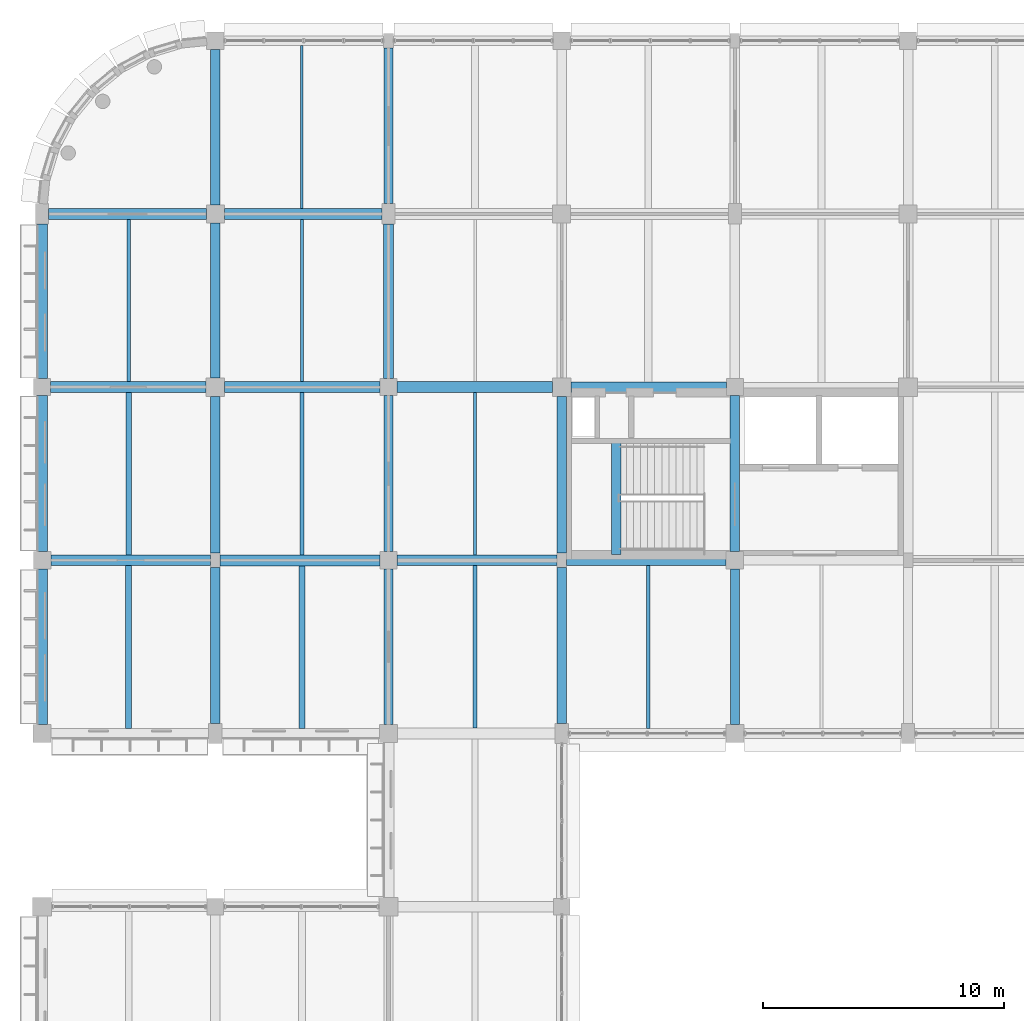
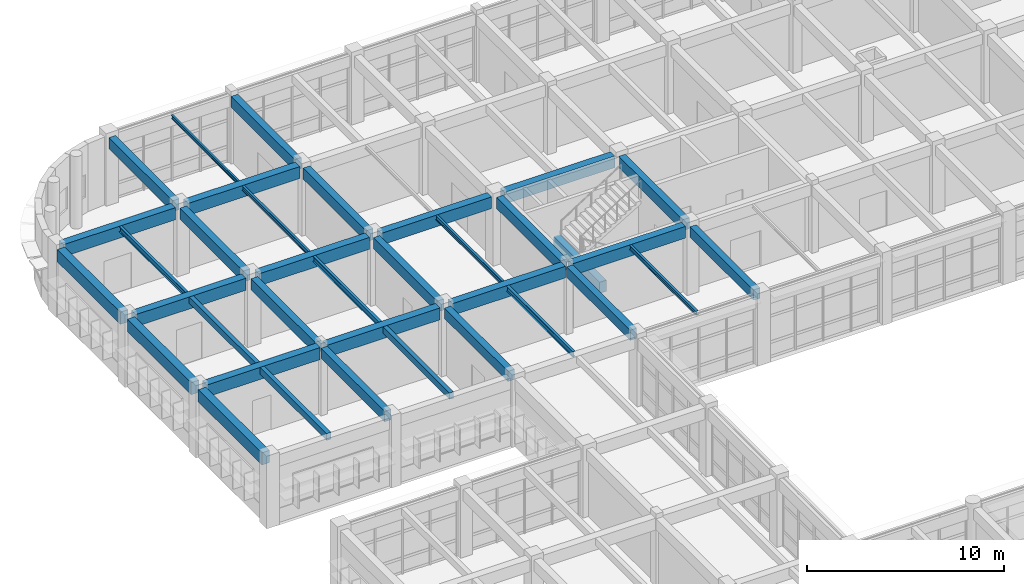
# One storey, part 63 of 171: 36 beams.
"""IFC4 building model written with IfcOpenShell, lengths in metres."""

from ifc_helpers import new_model, si_unit, direction, frame, origin, origin_2d, place, context, subcontext, project, spatial, rectangle, i_section, extrude, material, material_profile, profile_set, type_object, element, save


model = new_model("IFC4")

# Units and contexts
model_context = context("Model", 3, precision=1e-05, world=origin(), true_north=direction((0.0, 1.0)))
body_context = subcontext(model_context, "Body", "Model", "MODEL_VIEW")
ifc_project = project(units=[si_unit("LENGTHUNIT", "METRE"), si_unit("AREAUNIT", "SQUARE_METRE"), si_unit("VOLUMEUNIT", "CUBIC_METRE"), si_unit("PLANEANGLEUNIT", "RADIAN"), si_unit("MASSUNIT", "GRAM", prefix="KILO")], contexts=[model_context])

# Site, building, storey
site_placement = place(None, origin())
site = spatial("IfcSite", under=ifc_project, at=site_placement, CompositionType="ELEMENT")
building_placement = place(site_placement, origin())
building = spatial("IfcBuilding", under=site, at=building_placement, Name="Thalmaran Polytechnic", CompositionType="ELEMENT")
storey_placement = place(building_placement, frame((0.0, 0.0, 5.39990234375)))
storey = spatial("IfcBuildingStorey", under=building, at=storey_placement, Name="L01", CompositionType="ELEMENT", Elevation=5.39990234375)

# Beams
ifc_material_1 = material(Name="Concrete C40/50", Category="concrete")
ifc_material_profile_1 = material_profile(ifc_material_1, rectangle(XDim=0.449951171875, YDim=0.75, at=origin_2d()), Name="RC 450x750")
ifc_profile_set_1 = profile_set([ifc_material_profile_1], Name="Concrete C40/50")
beam_type_1 = type_object("IfcBeamType", Name="BM-RC03", PredefinedType="BEAM", material=ifc_profile_set_1)
beam_1_placement = place(storey_placement, frame((0.360107421875, 100.800048828125, 3.835205078125), z_axis=(1.0, 0.0, 0.0), x_axis=(0.0, 1.0, 0.0)))
element("IfcBeam", 1, at=beam_1_placement, inside=storey, type_object=beam_type_1, Name="Grid Beam B03 L01 X(0,14)", PredefinedType="BEAM", context=body_context, shape_type="SweptSolid", body=[
    extrude(rectangle(XDim=0.449951171875, YDim=0.75, at=origin_2d()), origin(), (0.0, 0.0, 1.0), 6.639892578125),
])
beam_2_placement = place(storey_placement, frame((0.35009765625, 108.0, 3.835205078125), z_axis=(1.0, 0.0, 0.0), x_axis=(0.0, 1.0, 0.0)))
element("IfcBeam", 2, at=beam_2_placement, inside=storey, type_object=beam_type_1, Name="Grid Beam B03 L01 X(0,15)", PredefinedType="BEAM", context=body_context, shape_type="SweptSolid", body=[
    extrude(rectangle(XDim=0.449951171875, YDim=0.75, at=origin_2d()), origin(), (0.0, 0.0, 1.0), 6.4599609375),
])
beam_3_placement = place(storey_placement, frame((0.27490234375, 115.199951171875, 3.835205078125), z_axis=(1.0, 0.0, 0.0), x_axis=(0.0, 1.0, 0.0)))
element("IfcBeam", 3, at=beam_3_placement, inside=storey, type_object=beam_type_1, Name="Grid Beam B03 L01 X(0,16)", PredefinedType="BEAM", context=body_context, shape_type="SweptSolid", body=[
    extrude(rectangle(XDim=0.449951171875, YDim=0.75, at=origin_2d()), origin(), (0.0, 0.0, 1.0), 6.550048828125),
])
ifc_material_profile_2 = material_profile(ifc_material_1, rectangle(XDim=0.449951171875, YDim=0.72509765625, at=origin_2d()), Name="RC 450x725")
ifc_profile_set_2 = profile_set([ifc_material_profile_2], Name="Concrete C40/50")
beam_type_2 = type_object("IfcBeamType", Name="BM-RC04", PredefinedType="BEAM", material=ifc_profile_set_2)
beam_4_placement = place(storey_placement, frame((14.760009765625, 100.800048828125, 3.84765625), z_axis=(1.0, 0.0, 0.0), x_axis=(0.0, 1.0, 0.0)))
element("IfcBeam", 4, at=beam_4_placement, inside=storey, type_object=beam_type_2, Name="Grid Beam B04 L01 X(2,14)", PredefinedType="BEAM", context=body_context, shape_type="SweptSolid", body=[
    extrude(rectangle(XDim=0.449951171875, YDim=0.72509765625, at=origin_2d()), origin(), (0.0, 0.0, 1.0), 6.639892578125),
])
beam_5_placement = place(storey_placement, frame((14.75, 108.0, 3.84765625), z_axis=(1.0, 0.0, 0.0), x_axis=(0.0, 1.0, 0.0)))
element("IfcBeam", 5, at=beam_5_placement, inside=storey, type_object=beam_type_2, Name="Grid Beam B04 L01 X(2,15)", PredefinedType="BEAM", context=body_context, shape_type="SweptSolid", body=[
    extrude(rectangle(XDim=0.449951171875, YDim=0.72509765625, at=origin_2d()), origin(), (0.0, 0.0, 1.0), 6.4599609375),
])
ifc_material_profile_3 = material_profile(ifc_material_1, rectangle(XDim=0.389892578125, YDim=0.68505859375, at=origin_2d()), Name="RC 390x685")
ifc_profile_set_3 = profile_set([ifc_material_profile_3], Name="Concrete C40/50")
beam_type_3 = type_object("IfcBeamType", Name="BM-RC08", PredefinedType="BEAM", material=ifc_profile_set_3)
beam_6_placement = place(storey_placement, frame((7.199951171875, 101.10009765625, 3.86767578125), z_axis=(0.0, 1.0, 0.0), x_axis=(-1.0, 0.0, 0.0)))
element("IfcBeam", 6, at=beam_6_placement, inside=storey, type_object=beam_type_3, Name="Grid Beam B08 L01 Y(1,14)", PredefinedType="BEAM", context=body_context, shape_type="SweptSolid", body=[
    extrude(rectangle(XDim=0.389892578125, YDim=0.68505859375, at=origin_2d()), origin(), (0.0, 0.0, 1.0), 6.510009765625),
])
beam_7_placement = place(storey_placement, frame((14.39990234375, 101.159912109375, 3.86767578125), z_axis=(0.0, 1.0, 0.0), x_axis=(-1.0, 0.0, 0.0)))
element("IfcBeam", 7, at=beam_7_placement, inside=storey, type_object=beam_type_3, Name="Grid Beam B08 L01 Y(2,14)", PredefinedType="BEAM", context=body_context, shape_type="SweptSolid", body=[
    extrude(rectangle(XDim=0.389892578125, YDim=0.68505859375, at=origin_2d()), origin(), (0.0, 0.0, 1.0), 6.489990234375),
])
beam_8_placement = place(storey_placement, frame((21.60009765625, 101.10009765625, 3.86767578125), z_axis=(0.0, 1.0, 0.0), x_axis=(-1.0, 0.0, 0.0)))
element("IfcBeam", 8, at=beam_8_placement, inside=storey, type_object=beam_type_3, Name="Grid Beam B08 L01 Y(3,14)", PredefinedType="BEAM", context=body_context, shape_type="SweptSolid", body=[
    extrude(rectangle(XDim=0.389892578125, YDim=0.68505859375, at=origin_2d()), origin(), (0.0, 0.0, 1.0), 6.510009765625),
])
beam_9_placement = place(storey_placement, frame((28.800048828125, 101.159912109375, 3.86767578125), z_axis=(0.0, 1.0, 0.0), x_axis=(-1.0, 0.0, 0.0)))
element("IfcBeam", 9, at=beam_9_placement, inside=storey, type_object=beam_type_3, Name="Grid Beam B08 L01 Y(4,14)", PredefinedType="BEAM", context=body_context, shape_type="SweptSolid", body=[
    extrude(rectangle(XDim=0.389892578125, YDim=0.68505859375, at=origin_2d()), origin(), (0.0, 0.0, 1.0), 6.489990234375),
])
ifc_material_profile_4 = material_profile(ifc_material_1, rectangle(XDim=0.389892578125, YDim=0.68994140625, at=origin_2d()), Name="RC 390x690")
ifc_profile_set_4 = profile_set([ifc_material_profile_4], Name="Concrete C40/50")
beam_type_4 = type_object("IfcBeamType", Name="BM-RC09", PredefinedType="BEAM", material=ifc_profile_set_4)
beam_10_placement = place(storey_placement, frame((7.199951171875, 115.574951171875, 3.864990234375), z_axis=(0.0, 1.0, 0.0), x_axis=(-1.0, 0.0, 0.0)))
element("IfcBeam", 10, at=beam_10_placement, inside=storey, type_object=beam_type_4, Name="Grid Beam B09 L01 Y(1,16)", PredefinedType="BEAM", context=body_context, shape_type="SweptSolid", body=[
    extrude(rectangle(XDim=0.389892578125, YDim=0.68994140625, at=origin_2d()), origin(), (0.0, 0.0, 1.0), 6.465087890625),
])
beam_11_placement = place(storey_placement, frame((14.39990234375, 115.625, 3.864990234375), z_axis=(0.0, 1.0, 0.0), x_axis=(-1.0, 0.0, 0.0)))
element("IfcBeam", 11, at=beam_11_placement, inside=storey, type_object=beam_type_4, Name="Grid Beam B09 L01 Y(2,16)", PredefinedType="BEAM", context=body_context, shape_type="SweptSolid", body=[
    extrude(rectangle(XDim=0.389892578125, YDim=0.68994140625, at=origin_2d()), origin(), (0.0, 0.0, 1.0), 6.47509765625),
])
ifc_material_profile_5 = material_profile(ifc_material_1, rectangle(XDim=0.389892578125, YDim=0.695068359375, at=origin_2d()), Name="RC 390x695")
ifc_profile_set_5 = profile_set([ifc_material_profile_5], Name="Concrete C40/50")
beam_type_5 = type_object("IfcBeamType", Name="BM-RC10", PredefinedType="BEAM", material=ifc_profile_set_5)
beam_12_placement = place(storey_placement, frame((23.860107421875, 101.0400390625, 1.7900390625), z_axis=(0.0, 1.0, 0.0), x_axis=(-1.0, 0.0, 0.0)))
element("IfcBeam", 12, at=beam_12_placement, inside=storey, type_object=beam_type_5, Name="ST2 L01 Half-Landing Trimmer Beam", PredefinedType="BEAM", context=body_context, shape_type="SweptSolid", body=[
    extrude(rectangle(XDim=0.389892578125, YDim=0.695068359375, at=origin_2d()), origin(), (0.0, 0.0, 1.0), 4.699951171875),
])
ifc_material_2 = material(Name="Steel S355", Category="steel")
ifc_material_profile_6 = material_profile(ifc_material_2, i_section(OverallWidth=0.159912109375, OverallDepth=0.330078125, WebThickness=0.007568359375, FlangeThickness=0.011474609375, at=origin_2d()), Name="IPE 330")
ifc_profile_set_6 = profile_set([ifc_material_profile_6], Name="Steel S355")
beam_type_6 = type_object("IfcBeamType", Name="BM-SJ02", PredefinedType="JOIST", material=ifc_profile_set_6)
beam_13_placement = place(storey_placement, frame((3.60009765625, 108.22509765625, 4.045166015625), z_axis=(0.0, 1.0, 0.0), x_axis=(-1.0, 0.0, 0.0)))
element("IfcBeam", 13, at=beam_13_placement, inside=storey, type_object=beam_type_6, Name="Secondary Floor Rib SJ02 L01 (0,15)", PredefinedType="JOIST", context=body_context, shape_type="SweptSolid", body=[
    extrude(i_section(OverallWidth=0.159912109375, OverallDepth=0.330078125, WebThickness=0.007568359375, FlangeThickness=0.011474609375, at=origin_2d()), origin(), (0.0, 0.0, 1.0), 6.75),
])
beam_14_placement = place(storey_placement, frame((10.800048828125, 101.030029296875, 4.045166015625), z_axis=(0.0, 1.0, 0.0), x_axis=(-1.0, 0.0, 0.0)))
element("IfcBeam", 14, at=beam_14_placement, inside=storey, type_object=beam_type_6, Name="Secondary Floor Rib SJ02 L01 (1,14)", PredefinedType="JOIST", context=body_context, shape_type="SweptSolid", body=[
    extrude(i_section(OverallWidth=0.159912109375, OverallDepth=0.330078125, WebThickness=0.007568359375, FlangeThickness=0.011474609375, at=origin_2d()), origin(), (0.0, 0.0, 1.0), 6.739990234375),
])
beam_15_placement = place(storey_placement, frame((18.0, 93.824951171875, 4.045166015625), z_axis=(0.0, 1.0, 0.0), x_axis=(-1.0, 0.0, 0.0)))
element("IfcBeam", 15, at=beam_15_placement, inside=storey, type_object=beam_type_6, Name="Secondary Floor Rib SJ02 L01 (2,13)", PredefinedType="JOIST", context=body_context, shape_type="SweptSolid", body=[
    extrude(i_section(OverallWidth=0.159912109375, OverallDepth=0.330078125, WebThickness=0.007568359375, FlangeThickness=0.011474609375, at=origin_2d()), origin(), (0.0, 0.0, 1.0), 6.75),
])
ifc_material_profile_7 = material_profile(ifc_material_2, i_section(OverallWidth=0.135009765625, OverallDepth=0.27001953125, WebThickness=0.006591796875, FlangeThickness=0.01025390625, at=origin_2d()), Name="IPE 270")
ifc_profile_set_7 = profile_set([ifc_material_profile_7], Name="Steel S355")
beam_type_7 = type_object("IfcBeamType", Name="BM-SJ03", PredefinedType="JOIST", material=ifc_profile_set_7)
beam_16_placement = place(storey_placement, frame((10.800048828125, 108.22998046875, 4.0751953125), z_axis=(0.0, 1.0, 0.0), x_axis=(-1.0, 0.0, 0.0)))
element("IfcBeam", 16, at=beam_16_placement, inside=storey, type_object=beam_type_7, Name="Secondary Floor Rib SJ03 L01 (1,15)", PredefinedType="JOIST", context=body_context, shape_type="SweptSolid", body=[
    extrude(i_section(OverallWidth=0.135009765625, OverallDepth=0.27001953125, WebThickness=0.006591796875, FlangeThickness=0.01025390625, at=origin_2d()), origin(), (0.0, 0.0, 1.0), 6.739990234375),
])
beam_17_placement = place(storey_placement, frame((18.0, 101.02490234375, 4.0751953125), z_axis=(0.0, 1.0, 0.0), x_axis=(-1.0, 0.0, 0.0)))
element("IfcBeam", 17, at=beam_17_placement, inside=storey, type_object=beam_type_7, Name="Secondary Floor Rib SJ03 L01 (2,14)", PredefinedType="JOIST", context=body_context, shape_type="SweptSolid", body=[
    extrude(i_section(OverallWidth=0.135009765625, OverallDepth=0.27001953125, WebThickness=0.006591796875, FlangeThickness=0.01025390625, at=origin_2d()), origin(), (0.0, 0.0, 1.0), 6.75),
])
beam_18_placement = place(storey_placement, frame((25.199951171875, 93.800048828125, 4.0751953125), z_axis=(0.0, 1.0, 0.0), x_axis=(-1.0, 0.0, 0.0)))
element("IfcBeam", 18, at=beam_18_placement, inside=storey, type_object=beam_type_7, Name="Secondary Floor Rib SJ03 L01 (3,13)", PredefinedType="JOIST", context=body_context, shape_type="SweptSolid", body=[
    extrude(i_section(OverallWidth=0.135009765625, OverallDepth=0.27001953125, WebThickness=0.006591796875, FlangeThickness=0.01025390625, at=origin_2d()), origin(), (0.0, 0.0, 1.0), 6.780029296875),
])
ifc_material_profile_8 = material_profile(ifc_material_2, i_section(OverallWidth=0.110107421875, OverallDepth=0.219970703125, WebThickness=0.005859375, FlangeThickness=0.00927734375, at=origin_2d()), Name="IPE 220")
ifc_profile_set_8 = profile_set([ifc_material_profile_8], Name="Steel S355")
beam_type_8 = type_object("IfcBeamType", Name="BM-SJ04", PredefinedType="JOIST", material=ifc_profile_set_8)
beam_19_placement = place(storey_placement, frame((10.800048828125, 115.429931640625, 4.10009765625), z_axis=(0.0, 1.0, 0.0), x_axis=(-1.0, 0.0, 0.0)))
element("IfcBeam", 19, at=beam_19_placement, inside=storey, type_object=beam_type_8, Name="Secondary Floor Rib SJ04 L01 (1,16)", PredefinedType="JOIST", context=body_context, shape_type="SweptSolid", body=[
    extrude(i_section(OverallWidth=0.110107421875, OverallDepth=0.219970703125, WebThickness=0.005859375, FlangeThickness=0.00927734375, at=origin_2d()), origin(), (0.0, 0.0, 1.0), 6.77001953125),
])
ifc_material_profile_9 = material_profile(ifc_material_1, rectangle(XDim=0.449951171875, YDim=0.7548828125, at=origin_2d()), Name="RC 450x755")
ifc_profile_set_9 = profile_set([ifc_material_profile_9], Name="Concrete C40/50")
beam_type_9 = type_object("IfcBeamType", Name="BM-SP02", PredefinedType="SPANDREL", material=ifc_profile_set_9)
beam_20_placement = place(storey_placement, frame((0.0, 93.97509765625, 3.83251953125), z_axis=(0.0, 1.0, 0.0), x_axis=(-1.0, 0.0, 0.0)))
element("IfcBeam", 20, at=beam_20_placement, inside=storey, type_object=beam_type_9, Name="Grid Beam SP02 L01 Y(0,13)", PredefinedType="SPANDREL", context=body_context, shape_type="SweptSolid", body=[
    extrude(rectangle(XDim=0.449951171875, YDim=0.7548828125, at=origin_2d()), origin(), (0.0, 0.0, 1.0), 6.46484375),
])
beam_21_placement = place(storey_placement, frame((0.0, 101.159912109375, 3.83251953125), z_axis=(0.0, 1.0, 0.0), x_axis=(-1.0, 0.0, 0.0)))
element("IfcBeam", 21, at=beam_21_placement, inside=storey, type_object=beam_type_9, Name="Grid Beam SP02 L01 Y(0,14)", PredefinedType="SPANDREL", context=body_context, shape_type="SweptSolid", body=[
    extrude(rectangle(XDim=0.449951171875, YDim=0.7548828125, at=origin_2d()), origin(), (0.0, 0.0, 1.0), 6.489990234375),
])
beam_22_placement = place(storey_placement, frame((0.0, 108.35009765625, 3.83251953125), z_axis=(0.0, 1.0, 0.0), x_axis=(-1.0, 0.0, 0.0)))
element("IfcBeam", 22, at=beam_22_placement, inside=storey, type_object=beam_type_9, Name="Grid Beam SP02 L01 Y(0,15)", PredefinedType="SPANDREL", context=body_context, shape_type="SweptSolid", body=[
    extrude(rectangle(XDim=0.449951171875, YDim=0.7548828125, at=origin_2d()), origin(), (0.0, 0.0, 1.0), 6.4248046875),
])
ifc_material_profile_10 = material_profile(ifc_material_1, rectangle(XDim=0.4599609375, YDim=0.739990234375, at=origin_2d()), Name="RC 460x740")
ifc_profile_set_10 = profile_set([ifc_material_profile_10], Name="Concrete C40/50")
beam_type_10 = type_object("IfcBeamType", Name="BM-ZB02", PredefinedType="BEAM", material=ifc_profile_set_10)
beam_23_placement = place(storey_placement, frame((7.39990234375, 100.800048828125, 3.840087890625), z_axis=(1.0, 0.0, 0.0), x_axis=(0.0, 1.0, 0.0)))
element("IfcBeam", 23, at=beam_23_placement, inside=storey, type_object=beam_type_10, Name="Grid Beam ZB02 L01 X(1,14)", PredefinedType="BEAM", context=body_context, shape_type="SweptSolid", body=[
    extrude(rectangle(XDim=0.4599609375, YDim=0.739990234375, at=origin_2d()), origin(), (0.0, 0.0, 1.0), 6.64013671875),
])
beam_24_placement = place(storey_placement, frame((7.590087890625, 108.0, 3.840087890625), z_axis=(1.0, 0.0, 0.0), x_axis=(0.0, 1.0, 0.0)))
element("IfcBeam", 24, at=beam_24_placement, inside=storey, type_object=beam_type_10, Name="Grid Beam ZB02 L01 X(1,15)", PredefinedType="BEAM", context=body_context, shape_type="SweptSolid", body=[
    extrude(rectangle(XDim=0.4599609375, YDim=0.739990234375, at=origin_2d()), origin(), (0.0, 0.0, 1.0), 6.4599609375),
])
beam_25_placement = place(storey_placement, frame((7.574951171875, 115.199951171875, 3.840087890625), z_axis=(1.0, 0.0, 0.0), x_axis=(0.0, 1.0, 0.0)))
element("IfcBeam", 25, at=beam_25_placement, inside=storey, type_object=beam_type_10, Name="Grid Beam ZB02 L01 X(1,16)", PredefinedType="BEAM", context=body_context, shape_type="SweptSolid", body=[
    extrude(rectangle(XDim=0.4599609375, YDim=0.739990234375, at=origin_2d()), origin(), (0.0, 0.0, 1.0), 6.550048828125),
])
ifc_material_profile_11 = material_profile(ifc_material_1, rectangle(XDim=0.43994140625, YDim=0.719970703125, at=origin_2d()), Name="RC 440x720")
ifc_profile_set_11 = profile_set([ifc_material_profile_11], Name="Concrete C40/50")
beam_type_11 = type_object("IfcBeamType", Name="BM-ZB03", PredefinedType="BEAM", material=ifc_profile_set_11)
beam_26_placement = place(storey_placement, frame((21.800048828125, 100.800048828125, 3.85009765625), z_axis=(1.0, 0.0, 0.0), x_axis=(0.0, 1.0, 0.0)))
element("IfcBeam", 26, at=beam_26_placement, inside=storey, type_object=beam_type_11, Name="Grid Beam ZB03 L01 X(3,14)", PredefinedType="BEAM", context=body_context, shape_type="SweptSolid", body=[
    extrude(rectangle(XDim=0.43994140625, YDim=0.719970703125, at=origin_2d()), origin(), (0.0, 0.0, 1.0), 6.639892578125),
])
beam_27_placement = place(storey_placement, frame((21.989990234375, 108.0, 3.85009765625), z_axis=(1.0, 0.0, 0.0), x_axis=(0.0, 1.0, 0.0)))
element("IfcBeam", 27, at=beam_27_placement, inside=storey, type_object=beam_type_11, Name="Grid Beam ZB03 L01 X(3,15)", PredefinedType="BEAM", context=body_context, shape_type="SweptSolid", body=[
    extrude(rectangle(XDim=0.43994140625, YDim=0.719970703125, at=origin_2d()), origin(), (0.0, 0.0, 1.0), 6.4599609375),
])
ifc_material_profile_12 = material_profile(ifc_material_1, rectangle(XDim=0.3798828125, YDim=0.635009765625, at=origin_2d()), Name="RC 380x635")
ifc_profile_set_12 = profile_set([ifc_material_profile_12], Name="Concrete C40/50")
beam_type_12 = type_object("IfcBeamType", Name="BM-ZB06", PredefinedType="BEAM", material=ifc_profile_set_12)
beam_28_placement = place(storey_placement, frame((7.199951171875, 94.02490234375, 3.892578125), z_axis=(0.0, 1.0, 0.0), x_axis=(-1.0, 0.0, 0.0)))
element("IfcBeam", 28, at=beam_28_placement, inside=storey, type_object=beam_type_12, Name="Grid Beam ZB06 L01 Y(1,13)", PredefinedType="BEAM", context=body_context, shape_type="SweptSolid", body=[
    extrude(rectangle(XDim=0.3798828125, YDim=0.635009765625, at=origin_2d()), origin(), (0.0, 0.0, 1.0), 6.47509765625),
])
beam_29_placement = place(storey_placement, frame((14.39990234375, 93.97509765625, 3.892578125), z_axis=(0.0, 1.0, 0.0), x_axis=(-1.0, 0.0, 0.0)))
element("IfcBeam", 29, at=beam_29_placement, inside=storey, type_object=beam_type_12, Name="Grid Beam ZB06 L01 Y(2,13)", PredefinedType="BEAM", context=body_context, shape_type="SweptSolid", body=[
    extrude(rectangle(XDim=0.3798828125, YDim=0.635009765625, at=origin_2d()), origin(), (0.0, 0.0, 1.0), 6.46484375),
])
beam_30_placement = place(storey_placement, frame((21.60009765625, 94.02490234375, 3.892578125), z_axis=(0.0, 1.0, 0.0), x_axis=(-1.0, 0.0, 0.0)))
element("IfcBeam", 30, at=beam_30_placement, inside=storey, type_object=beam_type_12, Name="Grid Beam ZB06 L01 Y(3,13)", PredefinedType="BEAM", context=body_context, shape_type="SweptSolid", body=[
    extrude(rectangle(XDim=0.3798828125, YDim=0.635009765625, at=origin_2d()), origin(), (0.0, 0.0, 1.0), 6.47509765625),
])
beam_31_placement = place(storey_placement, frame((28.800048828125, 93.97509765625, 3.892578125), z_axis=(0.0, 1.0, 0.0), x_axis=(-1.0, 0.0, 0.0)))
element("IfcBeam", 31, at=beam_31_placement, inside=storey, type_object=beam_type_12, Name="Grid Beam ZB06 L01 Y(4,13)", PredefinedType="BEAM", context=body_context, shape_type="SweptSolid", body=[
    extrude(rectangle(XDim=0.3798828125, YDim=0.635009765625, at=origin_2d()), origin(), (0.0, 0.0, 1.0), 6.46484375),
])
ifc_material_profile_13 = material_profile(ifc_material_1, rectangle(XDim=0.39990234375, YDim=0.68505859375, at=origin_2d()), Name="RC 400x685")
ifc_profile_set_13 = profile_set([ifc_material_profile_13], Name="Concrete C40/50")
beam_type_13 = type_object("IfcBeamType", Name="BM-ZB07", PredefinedType="BEAM", material=ifc_profile_set_13)
beam_32_placement = place(storey_placement, frame((7.199951171875, 108.389892578125, 3.86767578125), z_axis=(0.0, 1.0, 0.0), x_axis=(-1.0, 0.0, 0.0)))
element("IfcBeam", 32, at=beam_32_placement, inside=storey, type_object=beam_type_13, Name="Grid Beam ZB07 L01 Y(1,15)", PredefinedType="BEAM", context=body_context, shape_type="SweptSolid", body=[
    extrude(rectangle(XDim=0.39990234375, YDim=0.68505859375, at=origin_2d()), origin(), (0.0, 0.0, 1.0), 6.43505859375),
])
beam_33_placement = place(storey_placement, frame((14.39990234375, 108.35009765625, 3.86767578125), z_axis=(0.0, 1.0, 0.0), x_axis=(-1.0, 0.0, 0.0)))
element("IfcBeam", 33, at=beam_33_placement, inside=storey, type_object=beam_type_13, Name="Grid Beam ZB07 L01 Y(2,15)", PredefinedType="BEAM", context=body_context, shape_type="SweptSolid", body=[
    extrude(rectangle(XDim=0.39990234375, YDim=0.68505859375, at=origin_2d()), origin(), (0.0, 0.0, 1.0), 6.4248046875),
])
ifc_material_profile_14 = material_profile(ifc_material_1, rectangle(XDim=0.25, YDim=0.419921875, at=origin_2d()), Name="RC 250x420")
ifc_profile_set_14 = profile_set([ifc_material_profile_14], Name="Concrete C40/50")
beam_type_14 = type_object("IfcBeamType", Name="BM-ZJ03", PredefinedType="JOIST", material=ifc_profile_set_14)
beam_34_placement = place(storey_placement, frame((3.60009765625, 93.800048828125, 4.0), z_axis=(0.0, 1.0, 0.0), x_axis=(-1.0, 0.0, 0.0)))
element("IfcBeam", 34, at=beam_34_placement, inside=storey, type_object=beam_type_14, Name="Secondary Floor Rib ZJ03 L01 (0,13)", PredefinedType="JOIST", context=body_context, shape_type="SweptSolid", body=[
    extrude(rectangle(XDim=0.25, YDim=0.419921875, at=origin_2d()), origin(), (0.0, 0.0, 1.0), 6.77490234375),
])
ifc_material_profile_15 = material_profile(ifc_material_1, rectangle(XDim=0.239990234375, YDim=0.39990234375, at=origin_2d()), Name="RC 240x400")
ifc_profile_set_15 = profile_set([ifc_material_profile_15], Name="Concrete C40/50")
beam_type_15 = type_object("IfcBeamType", Name="BM-ZJ04", PredefinedType="JOIST", material=ifc_profile_set_15)
beam_35_placement = place(storey_placement, frame((3.60009765625, 101.02490234375, 4.010009765625), z_axis=(0.0, 1.0, 0.0), x_axis=(-1.0, 0.0, 0.0)))
element("IfcBeam", 35, at=beam_35_placement, inside=storey, type_object=beam_type_15, Name="Secondary Floor Rib ZJ04 L01 (0,14)", PredefinedType="JOIST", context=body_context, shape_type="SweptSolid", body=[
    extrude(rectangle(XDim=0.239990234375, YDim=0.39990234375, at=origin_2d()), origin(), (0.0, 0.0, 1.0), 6.75),
])
beam_36_placement = place(storey_placement, frame((10.800048828125, 93.800048828125, 4.010009765625), z_axis=(0.0, 1.0, 0.0), x_axis=(-1.0, 0.0, 0.0)))
element("IfcBeam", 36, at=beam_36_placement, inside=storey, type_object=beam_type_15, Name="Secondary Floor Rib ZJ04 L01 (1,13)", PredefinedType="JOIST", context=body_context, shape_type="SweptSolid", body=[
    extrude(rectangle(XDim=0.239990234375, YDim=0.39990234375, at=origin_2d()), origin(), (0.0, 0.0, 1.0), 6.77001953125),
])

save(model, "model.ifc")
